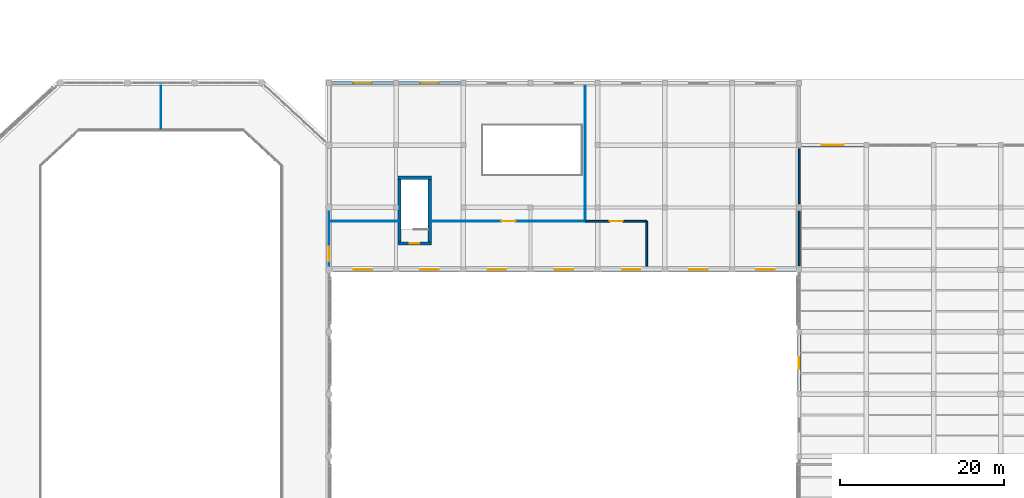
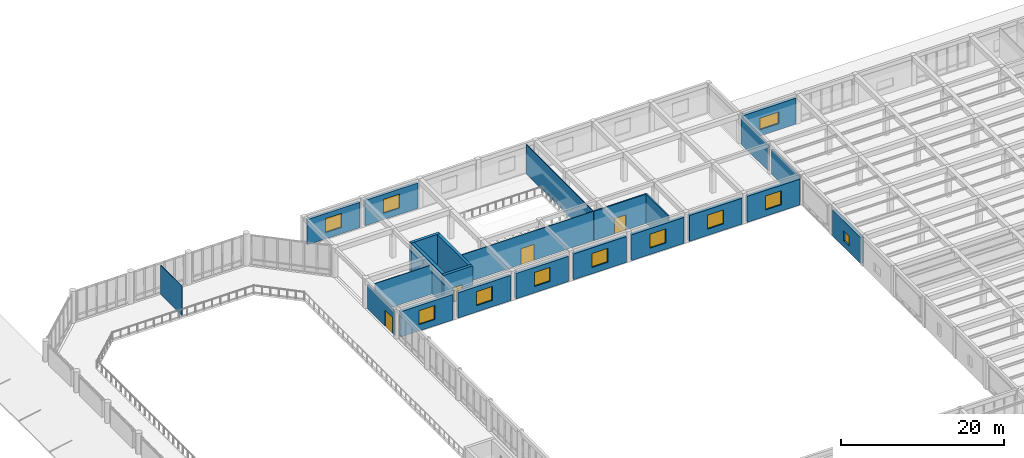
# One storey, part 39 of 57: 24 walls, 11 windows, 4 doors, 15 openings.
"""IFC4 building model written with IfcOpenShell, lengths in metres."""

import ifcopenshell
import ifcopenshell.guid

model = None  # the IFC model being written
_history = None  # IfcOwnerHistory: only IFC2X3 demands one
_inside = {}  # id of a spatial element -> (the spatial element, [elements in it])
_under = {}  # id of a project, library or spatial element -> (it, [spatial elements below it])
_declared = {}  # id of a project -> (the project, [libraries it declares])
_typed = {}  # id of a type object -> (the type object, [elements of that type])
_made_of = {}  # id of a material, layer set ... -> (it, [elements and type objects made of it])


def new_model(schema):
    """Start an empty IFC model of exactly this schema.

    Asked for "IFC4X3", IfcOpenShell would pick the latest addendum, in which some entities
    have other attributes; the version numbers below select the first issue.
    IFC2X3 requires an IfcOwnerHistory on every rooted entity: one is made here for all.
    """
    global model, _history
    if schema == "IFC4X3":
        model = ifcopenshell.file(schema_version=(4, 3, 0, 0))
    else:
        model = ifcopenshell.file(schema=schema)
    _inside.clear()
    _under.clear()
    _declared.clear()
    _typed.clear()
    _made_of.clear()
    _history = None
    if model.schema == "IFC2X3":
        org = make("IfcOrganization", Name="unknown")
        user = make(
            "IfcPersonAndOrganization",
            ThePerson=make("IfcPerson", FamilyName="unknown"),
            TheOrganization=org,
        )
        app = make(
            "IfcApplication",
            ApplicationDeveloper=org,
            Version="unknown",
            ApplicationFullName="unknown",
            ApplicationIdentifier="unknown",
        )
        _history = make(
            "IfcOwnerHistory",
            OwningUser=user,
            OwningApplication=app,
            ChangeAction="ADDED",
            CreationDate=0,
        )
    return model


def make(cls, **values):
    """One entity of the class cls with the attributes given. An attribute that is None is left unset."""
    return model.create_entity(
        cls, **{name: value for name, value in values.items() if value is not None}
    )


def rooted(cls, **values):
    """An entity with a GlobalId (a new one), such as an element, a storey or a relation."""
    return make(cls, GlobalId=ifcopenshell.guid.new(), OwnerHistory=_history, **values)


def si_unit(unit_type, name, prefix=None):
    """IfcSIUnit, for example si_unit("LENGTHUNIT", "METRE", prefix="MILLI")."""
    return make("IfcSIUnit", UnitType=unit_type, Prefix=prefix, Name=name)


def assignment(units):
    """IfcUnitAssignment: the units of a project."""
    return None if units is None else make("IfcUnitAssignment", Units=units)


def point(xyz):
    """IfcCartesianPoint."""
    return None if xyz is None else make("IfcCartesianPoint", Coordinates=xyz)


def direction(xyz):
    """IfcDirection."""
    return None if xyz is None else make("IfcDirection", DirectionRatios=xyz)


def frame(location, z_axis=None, x_axis=None):
    """IfcAxis2Placement3D, a coordinate frame: its origin and axes. An axis left out is left unset."""
    return make(
        "IfcAxis2Placement3D",
        Location=point(location),
        Axis=direction(z_axis),
        RefDirection=direction(x_axis),
    )


def frame_2d(location, x_axis=None):
    """IfcAxis2Placement2D, a coordinate frame in the plane: its origin and x axis."""
    return make(
        "IfcAxis2Placement2D", Location=point(location), RefDirection=direction(x_axis)
    )


def origin():
    """The frame at (0, 0, 0) with its axes left unset."""
    return frame((0.0, 0.0, 0.0))


def place(relative_to, where):
    """IfcLocalPlacement: puts the frame where relative to a parent placement (None: the world)."""
    return make(
        "IfcLocalPlacement", PlacementRelTo=relative_to, RelativePlacement=where
    )


def context(
    kind, dimensions, precision=None, world=None, true_north=None, identifier=None
):
    """IfcGeometricRepresentationContext, for example the 3D "Model" context."""
    return make(
        "IfcGeometricRepresentationContext",
        ContextIdentifier=identifier,
        ContextType=kind,
        CoordinateSpaceDimension=dimensions,
        Precision=precision,
        WorldCoordinateSystem=world,
        TrueNorth=true_north,
    )


def subcontext(parent, identifier, kind, view, scale=None):
    """IfcGeometricRepresentationSubContext, for example "Body" below "Model"."""
    return make(
        "IfcGeometricRepresentationSubContext",
        ContextIdentifier=identifier,
        ContextType=kind,
        ParentContext=parent,
        TargetScale=scale,
        TargetView=view,
    )


def project(units=None, contexts=None):
    """IfcProject with its units and contexts."""
    return rooted(
        "IfcProject",
        Name="project",
        RepresentationContexts=contexts,
        UnitsInContext=assignment(units),
    )


def spatial(cls, under=None, at=None, **own):
    """A site, building, storey or space (cls), placed at a placement, below another one or the project."""
    s = rooted(cls, ObjectPlacement=at, **own)
    if under is not None:
        _under.setdefault(under.id(), (under, []))[1].append(s)
    return s


def profile(cls, at=None, kind="AREA", **sizes):
    """A parametric profile (cls). Its sizes go by their IFC names, for example OverallWidth=200.0."""
    return make(cls, ProfileType=kind, Position=at, **sizes)


def rectangle(**sizes):
    """IfcRectangleProfileDef."""
    return profile("IfcRectangleProfileDef", **sizes)


def extrude(swept, where, along, depth):
    """IfcExtrudedAreaSolid: the profile swept, set in the frame where, extruded along a direction by depth."""
    return make(
        "IfcExtrudedAreaSolid",
        SweptArea=swept,
        Position=where,
        ExtrudedDirection=direction(along),
        Depth=depth,
    )


def shape(context_of_items, identifier, shape_type, items):
    """IfcShapeRepresentation: the items that make up one representation, for example the "Body"."""
    return make(
        "IfcShapeRepresentation",
        ContextOfItems=context_of_items,
        RepresentationIdentifier=identifier,
        RepresentationType=shape_type,
        Items=items,
    )


def material(Name=None, Category=None):
    """IfcMaterial."""
    return make("IfcMaterial", Name=Name, Category=Category)


def layer(
    of_material, thickness, ventilated=None, Name=None, Category=None, Priority=None
):
    """IfcMaterialLayer: one layer of a wall or slab, of a material (None: an air gap)."""
    return make(
        "IfcMaterialLayer",
        Material=of_material,
        LayerThickness=thickness,
        IsVentilated=ventilated,
        Name=Name,
        Category=Category,
        Priority=Priority,
    )


def layer_set(layers, Name=None):
    """IfcMaterialLayerSet."""
    return make("IfcMaterialLayerSet", MaterialLayers=layers, LayerSetName=Name)


def made_of(thing, what):
    """Note that an element or type object is made of a material, layer set ...; save() writes the relation."""
    if what is not None:
        _made_of.setdefault(what.id(), (what, []))[1].append(thing)
    return thing


def type_object(cls, material=None, **own):
    """A type object (cls), such as IfcWallType, which elements share."""
    return made_of(rooted(cls, **own), material)


def element(
    cls,
    number,
    at=None,
    inside=None,
    cuts=None,
    type_object=None,
    material=None,
    context=None,
    identifier="Body",
    shape_type=None,
    held_by="IfcProductDefinitionShape",
    body=None,
    shapes=None,
    **own,
):
    """One element of the class cls, such as IfcWall. Its Tag is "e" and its number.

    at: its placement. inside: the storey or other place that contains it. cuts: it is an
    opening in that element (IfcRelVoidsElement). A single representation is given by context,
    identifier, shape_type and body (its items); several are given by shapes. held_by: the class
    of the entity that holds the representations. save() writes the other relations.
    """
    e = rooted(cls, Tag="e%d" % number, ObjectPlacement=at, **own)
    if body is not None:
        shapes = [shape(context, identifier, shape_type, body)]
    if shapes is not None:
        e.Representation = make(held_by, Representations=shapes)
    if inside is not None:
        _inside.setdefault(inside.id(), (inside, []))[1].append(e)
    if cuts is not None:
        rooted(
            "IfcRelVoidsElement", RelatingBuildingElement=cuts, RelatedOpeningElement=e
        )
    if type_object is not None:
        _typed.setdefault(type_object.id(), (type_object, []))[1].append(e)
    return made_of(e, material)


def fill(opening, filler):
    """IfcRelFillsElement: the door or window that sits in an opening."""
    return rooted(
        "IfcRelFillsElement",
        RelatingOpeningElement=opening,
        RelatedBuildingElement=filler,
    )


def aggregate(whole, parts):
    """IfcRelAggregates: a whole, such as a stair, and the parts it consists of."""
    return rooted("IfcRelAggregates", RelatingObject=whole, RelatedObjects=parts)


def save(model, path):
    """Write the relations noted so far, then the file.

    IfcRelAggregates (storeys below a building ...), IfcRelContainedInSpatialStructure (elements
    in a storey), IfcRelDefinesByType, IfcRelAssociatesMaterial and IfcRelDeclares: one each for
    every whole, place, type object, material and project.
    """
    for whole, parts in _under.values():
        aggregate(whole, parts)
    for where, things in _inside.values():
        rooted(
            "IfcRelContainedInSpatialStructure",
            RelatedElements=things,
            RelatingStructure=where,
        )
    for kind, things in _typed.values():
        rooted("IfcRelDefinesByType", RelatedObjects=things, RelatingType=kind)
    for what, things in _made_of.values():
        rooted("IfcRelAssociatesMaterial", RelatedObjects=things, RelatingMaterial=what)
    for by, libraries in _declared.values():
        rooted("IfcRelDeclares", RelatingContext=by, RelatedDefinitions=libraries)
    model.write(path)


model = new_model("IFC4")

# Units and contexts
model_context = context("Model", 3, precision=1e-05, world=origin(), true_north=direction((0.0, 1.0)))
body_context = subcontext(model_context, "Body", "Model", "MODEL_VIEW")
ifc_project = project(units=[si_unit("LENGTHUNIT", "METRE"), si_unit("AREAUNIT", "SQUARE_METRE"), si_unit("VOLUMEUNIT", "CUBIC_METRE"), si_unit("PLANEANGLEUNIT", "RADIAN"), si_unit("MASSUNIT", "GRAM", prefix="KILO")], contexts=[model_context])

# Site, building, storey
site_placement = place(None, origin())
site = spatial("IfcSite", under=ifc_project, at=site_placement, CompositionType="ELEMENT")
building_placement = place(site_placement, origin())
building = spatial("IfcBuilding", under=site, at=building_placement, Name="Qandaris Square Conservatory and Botanical Centre", CompositionType="ELEMENT")
storey_placement = place(building_placement, frame((0.0, 0.0, 5.39990234375)))
storey = spatial("IfcBuildingStorey", under=building, at=storey_placement, Name="L01", CompositionType="ELEMENT", Elevation=5.39990234375)

# Wall, opening, window
ifc_material_1 = material(Name="Precast concrete C40/50", Category="concrete")
ifc_layer_1 = layer(ifc_material_1, 0.360107421875)
ifc_layer_set_1 = layer_set([ifc_layer_1], Name="Precast concrete C40/50")
wall_type_1 = type_object("IfcWallType", Name="Architectural Precast Cladding Wall 360mm", PredefinedType="SOLIDWALL", material=ifc_layer_set_1)
wall_1_placement = place(storey_placement, frame((73.239990234375, 115.39990234375, 0.0), z_axis=(0.0, 0.0, 1.0), x_axis=(-1.0, 0.0, 0.0)))
wall_1 = element("IfcWall", 1, at=wall_1_placement, inside=storey, type_object=wall_type_1, Name="Exterior Wall EW-V3B-L01-3-6", PredefinedType="SOLIDWALL", context=body_context, shape_type="SweptSolid", body=[
    extrude(rectangle(XDim=7.47998046875, YDim=0.360107421875, at=frame_2d((3.739990234375, 0.0))), origin(), (0.0, 0.0, 1.0), 3.80517578125),
])
opening_1_placement = place(wall_1_placement, frame((2.614990234375, 0.0, 0.949951171875)))
opening_1 = element("IfcOpeningElement", 2, at=opening_1_placement, cuts=wall_1, Name="Opening WN-12", PredefinedType="OPENING", context=body_context, shape_type="SweptSolid", body=[
    extrude(rectangle(XDim=2.25, YDim=2.10009765625, at=frame_2d((1.125, 1.050048828125))), frame((0.0, 0.19189453125, 0.0), z_axis=(0.0, -1.0, 0.0), x_axis=(1.0, 0.0, 0.0)), (0.0, 0.0, 1.0), 0.384033203125),
])
ifc_material_2 = material(Name="Tempered Low-E Glass", Category="glass")
window_type_1 = type_object("IfcWindowType", Name="Cafe Shaded Court Window 2250x2100", PartitioningType="DOUBLE_PANEL_VERTICAL", PredefinedType="WINDOW", material=ifc_material_2)
window_1_placement = place(opening_1_placement, origin())
window_1 = element("IfcWindow", 3, at=window_1_placement, inside=storey, type_object=window_type_1, Name="Window EW-V3B-L01-3-6", OverallHeight=2.10009765625, OverallWidth=2.25, PartitioningType="DOUBLE_PANEL_VERTICAL", PredefinedType="WINDOW", context=body_context, shape_type="SweptSolid", body=[
    extrude(rectangle(XDim=2.25, YDim=2.10009765625, at=frame_2d((1.125, 1.050048828125))), frame((0.0, 0.030029296875, 0.0), z_axis=(0.0, -1.0, 0.0), x_axis=(1.0, 0.0, 0.0)), (0.0, 0.0, 1.0), 0.06005859375),
])
fill(opening_1, window_1)

wall_2_placement = place(storey_placement, frame((65.0400390625, 115.39990234375, 0.0), z_axis=(0.0, 0.0, 1.0), x_axis=(-1.0, 0.0, 0.0)))
wall_2 = element("IfcWall", 4, at=wall_2_placement, inside=storey, type_object=wall_type_1, Name="Exterior Wall EW-V3B-L01-3-7", PredefinedType="SOLIDWALL", context=body_context, shape_type="SweptSolid", body=[
    extrude(rectangle(XDim=7.47998046875, YDim=0.360107421875, at=frame_2d((3.739990234375, 0.0))), origin(), (0.0, 0.0, 1.0), 3.80517578125),
])
opening_2_placement = place(wall_2_placement, frame((2.614990234375, 0.0, 0.949951171875)))
opening_2 = element("IfcOpeningElement", 5, at=opening_2_placement, cuts=wall_2, Name="Opening WN-12", PredefinedType="OPENING", context=body_context, shape_type="SweptSolid", body=[
    extrude(rectangle(XDim=2.25, YDim=2.10009765625, at=frame_2d((1.125, 1.050048828125))), frame((0.0, 0.19189453125, 0.0), z_axis=(0.0, -1.0, 0.0), x_axis=(1.0, 0.0, 0.0)), (0.0, 0.0, 1.0), 0.384033203125),
])
window_2_placement = place(opening_2_placement, origin())
window_2 = element("IfcWindow", 6, at=window_2_placement, inside=storey, type_object=window_type_1, Name="Window EW-V3B-L01-3-7", OverallHeight=2.10009765625, OverallWidth=2.25, PartitioningType="DOUBLE_PANEL_VERTICAL", PredefinedType="WINDOW", context=body_context, shape_type="SweptSolid", body=[
    extrude(rectangle(XDim=2.25, YDim=2.10009765625, at=frame_2d((1.125, 1.050048828125))), frame((0.0, 0.030029296875, 0.0), z_axis=(0.0, -1.0, 0.0), x_axis=(1.0, 0.0, 0.0)), (0.0, 0.0, 1.0), 0.06005859375),
])
fill(opening_2, window_2)

# Wall, opening, door
ifc_layer_2 = layer(ifc_material_2, 0.10009765625)
ifc_layer_set_2 = layer_set([ifc_layer_2], Name="Tempered Low-E Glass")
wall_type_2 = type_object("IfcWallType", Name="Framed Acoustic Glazed Gallery Screen 100mm", PredefinedType="PARTITIONING", material=ifc_layer_set_2)
wall_3_placement = place(storey_placement, frame((57.199951171875, 93.050048828125, 0.0), z_axis=(0.0, 0.0, 1.0), x_axis=(0.0, 1.0, 0.0)))
wall_3 = element("IfcWall", 7, at=wall_3_placement, inside=storey, type_object=wall_type_2, Name="Compartment Wall PW-V1V3B-L01", PredefinedType="PARTITIONING", context=body_context, shape_type="SweptSolid", body=[
    extrude(rectangle(XDim=6.699951171875, YDim=0.10009765625, at=frame_2d((3.35009765625, 0.0))), origin(), (0.0, 0.0, 1.0), 3.655029296875),
])
opening_3_placement = place(wall_3_placement, frame((0.550048828125, 0.0, 0.0)))
opening_3 = element("IfcOpeningElement", 8, at=opening_3_placement, cuts=wall_3, Name="Opening D-GL1", PredefinedType="OPENING", context=body_context, shape_type="SweptSolid", body=[
    extrude(rectangle(XDim=1.800048828125, YDim=2.39990234375, at=frame_2d((0.89990234375, 1.199951171875))), frame((0.0, 0.06201171875, 0.0), z_axis=(0.0, -1.0, 0.0), x_axis=(1.0, 0.0, 0.0)), (0.0, 0.0, 1.0), 0.1240234375),
])
ifc_material_3 = material(Name="Anodised Aluminium", Category="aluminium")
door_type_1 = type_object("IfcDoorType", Name="Visitor Gallery Glazed Double Door 1800x2400", OperationType="DOUBLE_DOOR_SINGLE_SWING", PredefinedType="DOOR", material=ifc_material_3)
door_1_placement = place(opening_3_placement, origin())
door_1 = element("IfcDoor", 9, at=door_1_placement, inside=storey, type_object=door_type_1, Name="DR-0103 Inter-Volume Connecting Door PVD-L01-V1V3B", OperationType="DOUBLE_DOOR_SINGLE_SWING", OverallHeight=2.39990234375, OverallWidth=1.800048828125, PredefinedType="DOOR", context=body_context, shape_type="SweptSolid", body=[
    extrude(rectangle(XDim=1.800048828125, YDim=2.39990234375, at=frame_2d((0.89990234375, 1.199951171875))), frame((0.0, 0.02490234375, 0.0), z_axis=(0.0, -1.0, 0.0), x_axis=(1.0, 0.0, 0.0)), (0.0, 0.0, 1.0), 0.050048828125),
])
fill(opening_3, door_1)

# Walls
wall_4_placement = place(storey_placement, frame((36.699951171875, 109.800048828125, 0.0), z_axis=(0.0, 0.0, 1.0), x_axis=(0.0, 1.0, 0.0)))
element("IfcWall", 10, at=wall_4_placement, inside=storey, type_object=wall_type_2, Name="Interior Partition IW-L01-0124", PredefinedType="PARTITIONING", context=body_context, shape_type="SweptSolid", body=[
    extrude(rectangle(XDim=5.25, YDim=0.10009765625, at=frame_2d((2.625, 0.0))), origin(), (0.0, 0.0, 1.0), 4.405029296875),
])
wall_5_placement = place(storey_placement, frame((57.5, 98.5, 0.0), z_axis=(0.0, 0.0, 1.0), x_axis=(1.0, 0.0, 0.0)))
element("IfcWall", 11, at=wall_5_placement, inside=storey, type_object=wall_type_2, Name="Interior Partition IW-L01-0132", PredefinedType="PARTITIONING", context=body_context, shape_type="SweptSolid", body=[
    extrude(rectangle(XDim=8.070068359375, YDim=0.10009765625, at=frame_2d((4.03515625, 0.0))), origin(), (0.0, 0.0, 1.0), 4.405029296875),
])

# Wall, opening, door
wall_6_placement = place(storey_placement, frame((69.72998046875, 98.5, 0.0), z_axis=(0.0, 0.0, 1.0), x_axis=(1.0, 0.0, 0.0)))
wall_6 = element("IfcWall", 12, at=wall_6_placement, inside=storey, type_object=wall_type_2, Name="Interior Partition IW-L01-0133", PredefinedType="PARTITIONING", context=body_context, shape_type="SweptSolid", body=[
    extrude(rectangle(XDim=18.77001953125, YDim=0.10009765625, at=frame_2d((9.385009765625, 0.0))), origin(), (0.0, 0.0, 1.0), 4.405029296875),
])
opening_4_placement = place(wall_6_placement, frame((8.485107421875, 0.0, 0.0)))
opening_4 = element("IfcOpeningElement", 13, at=opening_4_placement, cuts=wall_6, Name="Opening D-GL1", PredefinedType="OPENING", context=body_context, shape_type="SweptSolid", body=[
    extrude(rectangle(XDim=1.800048828125, YDim=2.39990234375, at=frame_2d((0.89990234375, 1.199951171875))), frame((0.0, 0.06201171875, 0.0), z_axis=(0.0, -1.0, 0.0), x_axis=(1.0, 0.0, 0.0)), (0.0, 0.0, 1.0), 0.1240234375),
])
door_2_placement = place(opening_4_placement, frame((1.800048828125, 0.0, 0.0), z_axis=(0.0, 0.0, 1.0), x_axis=(-1.0, 0.0, 0.0)))
door_2 = element("IfcDoor", 14, at=door_2_placement, inside=storey, type_object=door_type_1, Name="DR-0102 Qatar Ethnobotany Permanent Exhibition Door", OperationType="DOUBLE_DOOR_SINGLE_SWING", OverallHeight=2.39990234375, OverallWidth=1.800048828125, PredefinedType="DOOR", context=body_context, shape_type="SweptSolid", body=[
    extrude(rectangle(XDim=1.800048828125, YDim=2.39990234375, at=frame_2d((0.89990234375, 1.199951171875))), frame((0.0, 0.02490234375, 0.0), z_axis=(0.0, -1.0, 0.0), x_axis=(1.0, 0.0, 0.0)), (0.0, 0.0, 1.0), 0.050048828125),
])
fill(opening_4, door_2)

# Walls
wall_7_placement = place(storey_placement, frame((88.5, 115.0, 0.0), z_axis=(0.0, 0.0, 1.0), x_axis=(0.0, -1.0, 0.0)))
element("IfcWall", 15, at=wall_7_placement, inside=storey, type_object=wall_type_2, Name="Interior Partition IW-L01-0136", PredefinedType="PARTITIONING", context=body_context, shape_type="SweptSolid", body=[
    extrude(rectangle(XDim=16.5, YDim=0.10009765625, at=frame_2d((8.25, 0.0))), origin(), (0.0, 0.0, 1.0), 4.405029296875),
])
ifc_material_4 = material(Name="Concrete C40/50", Category="concrete")
ifc_layer_3 = layer(ifc_material_4, 0.199951171875)
ifc_layer_set_3 = layer_set([ifc_layer_3], Name="Concrete C40/50")
wall_type_3 = type_object("IfcWallType", Name="Herbarium & Plant Compartment Wall 200mm", PredefinedType="PARTITIONING", material=ifc_layer_set_3)
wall_8_placement = place(storey_placement, frame((114.60009765625, 93.050048828125, 0.0), z_axis=(0.0, 0.0, 1.0), x_axis=(0.0, 1.0, 0.0)))
element("IfcWall", 16, at=wall_8_placement, inside=storey, type_object=wall_type_3, Name="Compartment Wall PW-V3BV4-L01-1", PredefinedType="PARTITIONING", context=body_context, shape_type="SweptSolid", body=[
    extrude(rectangle(XDim=6.699951171875, YDim=0.199951171875, at=frame_2d((3.35009765625, 0.0))), origin(), (0.0, 0.0, 1.0), 3.820068359375),
])
wall_9_placement = place(storey_placement, frame((114.60009765625, 100.64990234375, 0.0), z_axis=(0.0, 0.0, 1.0), x_axis=(0.0, 1.0, 0.0)))
element("IfcWall", 17, at=wall_9_placement, inside=storey, type_object=wall_type_3, Name="Compartment Wall PW-V3BV4-L01-2", PredefinedType="PARTITIONING", context=body_context, shape_type="SweptSolid", body=[
    extrude(rectangle(XDim=6.7001953125, YDim=0.199951171875, at=frame_2d((3.35009765625, 0.0))), origin(), (0.0, 0.0, 1.0), 3.80517578125),
])
wall_10_placement = place(storey_placement, frame((96.0, 98.5, 0.0), z_axis=(0.0, 0.0, 1.0), x_axis=(0.0, -1.0, 0.0)))
element("IfcWall", 18, at=wall_10_placement, inside=storey, type_object=wall_type_3, Name="Interior Partition IW-L01-0134", PredefinedType="PARTITIONING", context=body_context, shape_type="SweptSolid", body=[
    extrude(rectangle(XDim=5.5, YDim=0.199951171875, at=frame_2d((2.75, 0.0))), origin(), (0.0, 0.0, 1.0), 4.405029296875),
])

# Wall, opening, door
wall_11_placement = place(storey_placement, frame((88.5, 98.5, 0.0), z_axis=(0.0, 0.0, 1.0), x_axis=(1.0, 0.0, 0.0)))
wall_11 = element("IfcWall", 19, at=wall_11_placement, inside=storey, type_object=wall_type_3, Name="Interior Partition IW-L01-0135", PredefinedType="PARTITIONING", context=body_context, shape_type="SweptSolid", body=[
    extrude(rectangle(XDim=7.5, YDim=0.199951171875, at=frame_2d((3.75, 0.0))), origin(), (0.0, 0.0, 1.0), 4.405029296875),
])
opening_5_placement = place(wall_11_placement, frame((2.949951171875, 0.0, 0.0)))
opening_5 = element("IfcOpeningElement", 20, at=opening_5_placement, cuts=wall_11, Name="Opening D-HRB1", PredefinedType="OPENING", context=body_context, shape_type="SweptSolid", body=[
    extrude(rectangle(XDim=1.60009765625, YDim=2.300048828125, at=frame_2d((0.800048828125, 1.14990234375))), frame((0.0, 0.11181640625, 0.0), z_axis=(0.0, -1.0, 0.0), x_axis=(1.0, 0.0, 0.0)), (0.0, 0.0, 1.0), 0.223876953125),
])
ifc_material_5 = material(Name="Steel S355", Category="steel")
door_type_2 = type_object("IfcDoorType", Name="Herbarium Sealable Specimen Double Door 1600x2300", OperationType="DOUBLE_DOOR_SINGLE_SWING", PredefinedType="DOOR", material=ifc_material_5)
door_3_placement = place(opening_5_placement, origin())
door_3 = element("IfcDoor", 21, at=door_3_placement, inside=storey, type_object=door_type_2, Name="DR-0107 Herbarium Conservation Demonstration Gallery Door", OperationType="DOUBLE_DOOR_SINGLE_SWING", OverallHeight=2.300048828125, OverallWidth=1.60009765625, PredefinedType="DOOR", context=body_context, shape_type="SweptSolid", body=[
    extrude(rectangle(XDim=1.60009765625, YDim=2.300048828125, at=frame_2d((0.800048828125, 1.14990234375))), frame((0.0, 0.02490234375, 0.0), z_axis=(0.0, -1.0, 0.0), x_axis=(1.0, 0.0, 0.0)), (0.0, 0.0, 1.0), 0.050048828125),
])
fill(opening_5, door_3)

# Wall, opening, window
ifc_layer_4 = layer(ifc_material_4, 0.419921875)
ifc_layer_set_4 = layer_set([ifc_layer_4], Name="Concrete C40/50")
wall_type_4 = type_object("IfcWallType", Name="Insulated Qatari Limestone Cavity Wall 420mm", PredefinedType="SOLIDWALL", material=ifc_layer_set_4)
wall_12_placement = place(storey_placement, frame((57.659912109375, 92.60009765625, 0.0), z_axis=(0.0, 0.0, 1.0), x_axis=(1.0, 0.0, 0.0)))
wall_12 = element("IfcWall", 22, at=wall_12_placement, inside=storey, type_object=wall_type_4, Name="Exterior Wall EW-V3B-L01-1-1", PredefinedType="SOLIDWALL", context=body_context, shape_type="SweptSolid", body=[
    extrude(rectangle(XDim=7.380126953125, YDim=0.419921875, at=frame_2d((3.68994140625, 0.0))), origin(), (0.0, 0.0, 1.0), 3.80517578125),
])
opening_6_placement = place(wall_12_placement, frame((2.56494140625, 0.0, 0.949951171875)))
opening_6 = element("IfcOpeningElement", 23, at=opening_6_placement, cuts=wall_12, Name="Opening WN-12", PredefinedType="OPENING", context=body_context, shape_type="SweptSolid", body=[
    extrude(rectangle(XDim=2.25, YDim=2.10009765625, at=frame_2d((1.125, 1.050048828125))), frame((0.0, 0.221923828125, 0.0), z_axis=(0.0, -1.0, 0.0), x_axis=(1.0, 0.0, 0.0)), (0.0, 0.0, 1.0), 0.44384765625),
])
window_3_placement = place(opening_6_placement, origin())
window_3 = element("IfcWindow", 24, at=window_3_placement, inside=storey, type_object=window_type_1, Name="Window EW-V3B-L01-1-1", OverallHeight=2.10009765625, OverallWidth=2.25, PartitioningType="DOUBLE_PANEL_VERTICAL", PredefinedType="WINDOW", context=body_context, shape_type="SweptSolid", body=[
    extrude(rectangle(XDim=2.25, YDim=2.10009765625, at=frame_2d((1.125, 1.050048828125))), frame((0.0, 0.030029296875, 0.0), z_axis=(0.0, -1.0, 0.0), x_axis=(1.0, 0.0, 0.0)), (0.0, 0.0, 1.0), 0.06005859375),
])
fill(opening_6, window_3)

wall_13_placement = place(storey_placement, frame((65.760009765625, 92.60009765625, 0.0), z_axis=(0.0, 0.0, 1.0), x_axis=(1.0, 0.0, 0.0)))
wall_13 = element("IfcWall", 25, at=wall_13_placement, inside=storey, type_object=wall_type_4, Name="Exterior Wall EW-V3B-L01-1-2", PredefinedType="SOLIDWALL", context=body_context, shape_type="SweptSolid", body=[
    extrude(rectangle(XDim=7.47998046875, YDim=0.419921875, at=frame_2d((3.739990234375, 0.0))), origin(), (0.0, 0.0, 1.0), 3.80517578125),
])
opening_7_placement = place(wall_13_placement, frame((2.614990234375, 0.0, 0.949951171875)))
opening_7 = element("IfcOpeningElement", 26, at=opening_7_placement, cuts=wall_13, Name="Opening WN-12", PredefinedType="OPENING", context=body_context, shape_type="SweptSolid", body=[
    extrude(rectangle(XDim=2.25, YDim=2.10009765625, at=frame_2d((1.125, 1.050048828125))), frame((0.0, 0.221923828125, 0.0), z_axis=(0.0, -1.0, 0.0), x_axis=(1.0, 0.0, 0.0)), (0.0, 0.0, 1.0), 0.44384765625),
])
window_4_placement = place(opening_7_placement, origin())
window_4 = element("IfcWindow", 27, at=window_4_placement, inside=storey, type_object=window_type_1, Name="Window EW-V3B-L01-1-2", OverallHeight=2.10009765625, OverallWidth=2.25, PartitioningType="DOUBLE_PANEL_VERTICAL", PredefinedType="WINDOW", context=body_context, shape_type="SweptSolid", body=[
    extrude(rectangle(XDim=2.25, YDim=2.10009765625, at=frame_2d((1.125, 1.050048828125))), frame((0.0, 0.030029296875, 0.0), z_axis=(0.0, -1.0, 0.0), x_axis=(1.0, 0.0, 0.0)), (0.0, 0.0, 1.0), 0.06005859375),
])
fill(opening_7, window_4)

wall_14_placement = place(storey_placement, frame((73.9599609375, 92.60009765625, 0.0), z_axis=(0.0, 0.0, 1.0), x_axis=(1.0, 0.0, 0.0)))
wall_14 = element("IfcWall", 28, at=wall_14_placement, inside=storey, type_object=wall_type_4, Name="Exterior Wall EW-V3B-L01-1-3", PredefinedType="SOLIDWALL", context=body_context, shape_type="SweptSolid", body=[
    extrude(rectangle(XDim=7.47998046875, YDim=0.419921875, at=frame_2d((3.739990234375, 0.0))), origin(), (0.0, 0.0, 1.0), 3.80517578125),
])
opening_8_placement = place(wall_14_placement, frame((2.614990234375, 0.0, 0.949951171875)))
opening_8 = element("IfcOpeningElement", 29, at=opening_8_placement, cuts=wall_14, Name="Opening WN-12", PredefinedType="OPENING", context=body_context, shape_type="SweptSolid", body=[
    extrude(rectangle(XDim=2.25, YDim=2.10009765625, at=frame_2d((1.125, 1.050048828125))), frame((0.0, 0.221923828125, 0.0), z_axis=(0.0, -1.0, 0.0), x_axis=(1.0, 0.0, 0.0)), (0.0, 0.0, 1.0), 0.44384765625),
])
window_5_placement = place(opening_8_placement, origin())
window_5 = element("IfcWindow", 30, at=window_5_placement, inside=storey, type_object=window_type_1, Name="Window EW-V3B-L01-1-3", OverallHeight=2.10009765625, OverallWidth=2.25, PartitioningType="DOUBLE_PANEL_VERTICAL", PredefinedType="WINDOW", context=body_context, shape_type="SweptSolid", body=[
    extrude(rectangle(XDim=2.25, YDim=2.10009765625, at=frame_2d((1.125, 1.050048828125))), frame((0.0, 0.030029296875, 0.0), z_axis=(0.0, -1.0, 0.0), x_axis=(1.0, 0.0, 0.0)), (0.0, 0.0, 1.0), 0.06005859375),
])
fill(opening_8, window_5)

wall_15_placement = place(storey_placement, frame((82.159912109375, 92.60009765625, 0.0), z_axis=(0.0, 0.0, 1.0), x_axis=(1.0, 0.0, 0.0)))
wall_15 = element("IfcWall", 31, at=wall_15_placement, inside=storey, type_object=wall_type_4, Name="Exterior Wall EW-V3B-L01-1-4", PredefinedType="SOLIDWALL", context=body_context, shape_type="SweptSolid", body=[
    extrude(rectangle(XDim=7.47998046875, YDim=0.419921875, at=frame_2d((3.739990234375, 0.0))), origin(), (0.0, 0.0, 1.0), 3.885009765625),
])
opening_9_placement = place(wall_15_placement, frame((2.614990234375, 0.0, 0.949951171875)))
opening_9 = element("IfcOpeningElement", 32, at=opening_9_placement, cuts=wall_15, Name="Opening WN-12", PredefinedType="OPENING", context=body_context, shape_type="SweptSolid", body=[
    extrude(rectangle(XDim=2.25, YDim=2.10009765625, at=frame_2d((1.125, 1.050048828125))), frame((0.0, 0.221923828125, 0.0), z_axis=(0.0, -1.0, 0.0), x_axis=(1.0, 0.0, 0.0)), (0.0, 0.0, 1.0), 0.44384765625),
])
window_6_placement = place(opening_9_placement, origin())
window_6 = element("IfcWindow", 33, at=window_6_placement, inside=storey, type_object=window_type_1, Name="Window EW-V3B-L01-1-4", OverallHeight=2.10009765625, OverallWidth=2.25, PartitioningType="DOUBLE_PANEL_VERTICAL", PredefinedType="WINDOW", context=body_context, shape_type="SweptSolid", body=[
    extrude(rectangle(XDim=2.25, YDim=2.10009765625, at=frame_2d((1.125, 1.050048828125))), frame((0.0, 0.030029296875, 0.0), z_axis=(0.0, -1.0, 0.0), x_axis=(1.0, 0.0, 0.0)), (0.0, 0.0, 1.0), 0.06005859375),
])
fill(opening_9, window_6)

wall_16_placement = place(storey_placement, frame((90.360107421875, 92.60009765625, 0.0), z_axis=(0.0, 0.0, 1.0), x_axis=(1.0, 0.0, 0.0)))
wall_16 = element("IfcWall", 34, at=wall_16_placement, inside=storey, type_object=wall_type_4, Name="Exterior Wall EW-V3B-L01-1-5", PredefinedType="SOLIDWALL", context=body_context, shape_type="SweptSolid", body=[
    extrude(rectangle(XDim=7.47998046875, YDim=0.419921875, at=frame_2d((3.739990234375, 0.0))), origin(), (0.0, 0.0, 1.0), 3.885009765625),
])
opening_10_placement = place(wall_16_placement, frame((2.614990234375, 0.0, 0.949951171875)))
opening_10 = element("IfcOpeningElement", 35, at=opening_10_placement, cuts=wall_16, Name="Opening WN-12", PredefinedType="OPENING", context=body_context, shape_type="SweptSolid", body=[
    extrude(rectangle(XDim=2.25, YDim=2.10009765625, at=frame_2d((1.125, 1.050048828125))), frame((0.0, 0.221923828125, 0.0), z_axis=(0.0, -1.0, 0.0), x_axis=(1.0, 0.0, 0.0)), (0.0, 0.0, 1.0), 0.44384765625),
])
window_7_placement = place(opening_10_placement, origin())
window_7 = element("IfcWindow", 36, at=window_7_placement, inside=storey, type_object=window_type_1, Name="Window EW-V3B-L01-1-5", OverallHeight=2.10009765625, OverallWidth=2.25, PartitioningType="DOUBLE_PANEL_VERTICAL", PredefinedType="WINDOW", context=body_context, shape_type="SweptSolid", body=[
    extrude(rectangle(XDim=2.25, YDim=2.10009765625, at=frame_2d((1.125, 1.050048828125))), frame((0.0, 0.030029296875, 0.0), z_axis=(0.0, -1.0, 0.0), x_axis=(1.0, 0.0, 0.0)), (0.0, 0.0, 1.0), 0.06005859375),
])
fill(opening_10, window_7)

wall_17_placement = place(storey_placement, frame((98.56005859375, 92.60009765625, 0.0), z_axis=(0.0, 0.0, 1.0), x_axis=(1.0, 0.0, 0.0)))
wall_17 = element("IfcWall", 37, at=wall_17_placement, inside=storey, type_object=wall_type_4, Name="Exterior Wall EW-V3B-L01-1-6", PredefinedType="SOLIDWALL", context=body_context, shape_type="SweptSolid", body=[
    extrude(rectangle(XDim=7.47998046875, YDim=0.419921875, at=frame_2d((3.739990234375, 0.0))), origin(), (0.0, 0.0, 1.0), 3.885009765625),
])
opening_11_placement = place(wall_17_placement, frame((2.614990234375, 0.0, 0.949951171875)))
opening_11 = element("IfcOpeningElement", 38, at=opening_11_placement, cuts=wall_17, Name="Opening WN-12", PredefinedType="OPENING", context=body_context, shape_type="SweptSolid", body=[
    extrude(rectangle(XDim=2.25, YDim=2.10009765625, at=frame_2d((1.125, 1.050048828125))), frame((0.0, 0.221923828125, 0.0), z_axis=(0.0, -1.0, 0.0), x_axis=(1.0, 0.0, 0.0)), (0.0, 0.0, 1.0), 0.44384765625),
])
window_8_placement = place(opening_11_placement, origin())
window_8 = element("IfcWindow", 39, at=window_8_placement, inside=storey, type_object=window_type_1, Name="Window EW-V3B-L01-1-6", OverallHeight=2.10009765625, OverallWidth=2.25, PartitioningType="DOUBLE_PANEL_VERTICAL", PredefinedType="WINDOW", context=body_context, shape_type="SweptSolid", body=[
    extrude(rectangle(XDim=2.25, YDim=2.10009765625, at=frame_2d((1.125, 1.050048828125))), frame((0.0, 0.030029296875, 0.0), z_axis=(0.0, -1.0, 0.0), x_axis=(1.0, 0.0, 0.0)), (0.0, 0.0, 1.0), 0.06005859375),
])
fill(opening_11, window_8)

wall_18_placement = place(storey_placement, frame((106.760009765625, 92.60009765625, 0.0), z_axis=(0.0, 0.0, 1.0), x_axis=(1.0, 0.0, 0.0)))
wall_18 = element("IfcWall", 40, at=wall_18_placement, inside=storey, type_object=wall_type_4, Name="Exterior Wall EW-V3B-L01-1-7", PredefinedType="SOLIDWALL", context=body_context, shape_type="SweptSolid", body=[
    extrude(rectangle(XDim=7.47998046875, YDim=0.419921875, at=frame_2d((3.739990234375, 0.0))), origin(), (0.0, 0.0, 1.0), 3.885009765625),
])
opening_12_placement = place(wall_18_placement, frame((2.614990234375, 0.0, 0.949951171875)))
opening_12 = element("IfcOpeningElement", 41, at=opening_12_placement, cuts=wall_18, Name="Opening WN-12", PredefinedType="OPENING", context=body_context, shape_type="SweptSolid", body=[
    extrude(rectangle(XDim=2.25, YDim=2.10009765625, at=frame_2d((1.125, 1.050048828125))), frame((0.0, 0.221923828125, 0.0), z_axis=(0.0, -1.0, 0.0), x_axis=(1.0, 0.0, 0.0)), (0.0, 0.0, 1.0), 0.44384765625),
])
window_9_placement = place(opening_12_placement, origin())
window_9 = element("IfcWindow", 42, at=window_9_placement, inside=storey, type_object=window_type_1, Name="Window EW-V3B-L01-1-7", OverallHeight=2.10009765625, OverallWidth=2.25, PartitioningType="DOUBLE_PANEL_VERTICAL", PredefinedType="WINDOW", context=body_context, shape_type="SweptSolid", body=[
    extrude(rectangle(XDim=2.25, YDim=2.10009765625, at=frame_2d((1.125, 1.050048828125))), frame((0.0, 0.030029296875, 0.0), z_axis=(0.0, -1.0, 0.0), x_axis=(1.0, 0.0, 0.0)), (0.0, 0.0, 1.0), 0.06005859375),
])
fill(opening_12, window_9)

wall_19_placement = place(storey_placement, frame((122.43994140625, 107.800048828125, 0.0), z_axis=(0.0, 0.0, 1.0), x_axis=(-1.0, 0.0, 0.0)))
wall_19 = element("IfcWall", 43, at=wall_19_placement, inside=storey, type_object=wall_type_4, Name="Exterior Wall EW-TWR-L01-3-6", PredefinedType="SOLIDWALL", context=body_context, shape_type="SweptSolid", body=[
    extrude(rectangle(XDim=7.47998046875, YDim=0.419921875, at=frame_2d((3.739990234375, 0.0))), origin(), (0.0, 0.0, 1.0), 3.93017578125),
])
opening_13_placement = place(wall_19_placement, frame((2.4150390625, 0.0, 0.949951171875)))
opening_13 = element("IfcOpeningElement", 44, at=opening_13_placement, cuts=wall_19, Name="Opening WN-43", PredefinedType="OPENING", context=body_context, shape_type="SweptSolid", body=[
    extrude(rectangle(XDim=2.64990234375, YDim=1.75, at=frame_2d((1.324951171875, 0.875))), frame((0.0, 0.221923828125, 0.0), z_axis=(0.0, -1.0, 0.0), x_axis=(1.0, 0.0, 0.0)), (0.0, 0.0, 1.0), 0.44384765625),
])
window_type_2 = type_object("IfcWindowType", Name="Solar Control Window 2650x1750", PartitioningType="DOUBLE_PANEL_VERTICAL", PredefinedType="WINDOW", material=ifc_material_2)
window_10_placement = place(opening_13_placement, origin())
window_10 = element("IfcWindow", 45, at=window_10_placement, inside=storey, type_object=window_type_2, Name="Window EW-TWR-L01-3-6", OverallHeight=1.75, OverallWidth=2.64990234375, PartitioningType="DOUBLE_PANEL_VERTICAL", PredefinedType="WINDOW", context=body_context, shape_type="SweptSolid", body=[
    extrude(rectangle(XDim=2.64990234375, YDim=1.75, at=frame_2d((1.324951171875, 0.875))), frame((0.0, 0.030029296875, 0.0), z_axis=(0.0, -1.0, 0.0), x_axis=(1.0, 0.0, 0.0)), (0.0, 0.0, 1.0), 0.06005859375),
])
fill(opening_13, window_10)

wall_20_placement = place(storey_placement, frame((114.60009765625, 84.639892578125, 0.0), z_axis=(0.0, 0.0, 1.0), x_axis=(0.0, -1.0, 0.0)))
wall_20 = element("IfcWall", 46, at=wall_20_placement, inside=storey, type_object=wall_type_4, Name="Exterior Wall EW-TWR-L01-4-4", PredefinedType="SOLIDWALL", context=body_context, shape_type="SweptSolid", body=[
    extrude(rectangle(XDim=6.8798828125, YDim=0.419921875, at=frame_2d((3.43994140625, 0.0))), origin(), (0.0, 0.0, 1.0), 3.905029296875),
])
opening_14_placement = place(wall_20_placement, frame((2.764892578125, 0.0, 0.949951171875)))
opening_14 = element("IfcOpeningElement", 47, at=opening_14_placement, cuts=wall_20, Name="Opening WN-22", PredefinedType="OPENING", context=body_context, shape_type="SweptSolid", body=[
    extrude(rectangle(XDim=1.35009765625, YDim=1.5, at=frame_2d((0.675048828125, 0.75))), frame((0.0, 0.221923828125, 0.0), z_axis=(0.0, -1.0, 0.0), x_axis=(1.0, 0.0, 0.0)), (0.0, 0.0, 1.0), 0.44384765625),
])
window_type_3 = type_object("IfcWindowType", Name="Solar Control Window 1350x1500", PartitioningType="SINGLE_PANEL", PredefinedType="WINDOW", material=ifc_material_2)
window_11_placement = place(opening_14_placement, origin())
window_11 = element("IfcWindow", 48, at=window_11_placement, inside=storey, type_object=window_type_3, Name="Window EW-TWR-L01-4-4", OverallHeight=1.5, OverallWidth=1.35009765625, PartitioningType="SINGLE_PANEL", PredefinedType="WINDOW", context=body_context, shape_type="SweptSolid", body=[
    extrude(rectangle(XDim=1.35009765625, YDim=1.5, at=frame_2d((0.675048828125, 0.75))), frame((0.0, 0.030029296875, 0.0), z_axis=(0.0, -1.0, 0.0), x_axis=(1.0, 0.0, 0.0)), (0.0, 0.0, 1.0), 0.06005859375),
])
fill(opening_14, window_11)

# Wall, opening, door
ifc_material_6 = material(Name="Concrete C50/60", Category="concrete")
ifc_layer_5 = layer(ifc_material_6, 0.39990234375)
ifc_layer_set_5 = layer_set([ifc_layer_5], Name="Concrete C50/60")
wall_type_5 = type_object("IfcWallType", Name="RC Stair Core Shear Wall 400mm", PredefinedType="SHEAR", material=ifc_layer_set_5)
wall_21_placement = place(storey_placement, frame((65.60009765625, 95.800048828125, 0.0), z_axis=(0.0, 0.0, 1.0), x_axis=(1.0, 0.0, 0.0)))
wall_21 = element("IfcWall", 49, at=wall_21_placement, inside=storey, type_object=wall_type_5, Name="ST-6 Core Shear Wall South (L01)", PredefinedType="SHEAR", context=body_context, shape_type="SweptSolid", body=[
    extrude(rectangle(XDim=4.099853515625, YDim=0.39990234375, at=frame_2d((2.0498046875, 0.0))), origin(), (0.0, 0.0, 1.0), 4.52001953125),
])
opening_15_placement = place(wall_21_placement, frame((1.449951171875, 0.0, 0.0)))
opening_15 = element("IfcOpeningElement", 50, at=opening_15_placement, cuts=wall_21, Name="Opening D-ST1", PredefinedType="OPENING", context=body_context, shape_type="SweptSolid", body=[
    extrude(rectangle(XDim=1.199951171875, YDim=2.199951171875, at=frame_2d((0.60009765625, 1.10009765625))), frame((0.0, 0.2119140625, 0.0), z_axis=(0.0, -1.0, 0.0), x_axis=(1.0, 0.0, 0.0)), (0.0, 0.0, 1.0), 0.423828125),
])
door_type_3 = type_object("IfcDoorType", Name="Exit Stair Core Fire Door 1200x2200", OperationType="NOTDEFINED", PredefinedType="DOOR", material=ifc_material_5)
door_4_placement = place(opening_15_placement, origin())
door_4 = element("IfcDoor", 51, at=door_4_placement, inside=storey, type_object=door_type_3, Name="DR-0115 ST-6 Stair Core Door (L01)", OperationType="SINGLE_SWING_LEFT", OverallHeight=2.199951171875, OverallWidth=1.199951171875, PredefinedType="DOOR", context=body_context, shape_type="SweptSolid", body=[
    extrude(rectangle(XDim=1.199951171875, YDim=2.199951171875, at=frame_2d((0.60009765625, 1.10009765625))), frame((0.0, 0.02490234375, 0.0), z_axis=(0.0, -1.0, 0.0), x_axis=(1.0, 0.0, 0.0)), (0.0, 0.0, 1.0), 0.050048828125),
])
fill(opening_15, door_4)

# Walls
wall_22_placement = place(storey_placement, frame((65.60009765625, 103.800048828125, 0.0), z_axis=(0.0, 0.0, 1.0), x_axis=(1.0, 0.0, 0.0)))
element("IfcWall", 52, at=wall_22_placement, inside=storey, type_object=wall_type_5, Name="ST-6 Core Shear Wall North (L01)", PredefinedType="SHEAR", context=body_context, shape_type="SweptSolid", body=[
    extrude(rectangle(XDim=4.099853515625, YDim=0.39990234375, at=frame_2d((2.0498046875, 0.0))), origin(), (0.0, 0.0, 1.0), 4.52001953125),
])
for number, where, z_axis, x_axis, name in (
    (53, (65.800048828125, 96.0, 0.0), (0.0, 0.0, 1.0), (0.0, 1.0, 0.0), "ST-6 Core Shear Wall West (L01)"),
    (54, (69.5, 96.0, 0.0), (0.0, 0.0, 1.0), (0.0, 1.0, 0.0), "ST-6 Core Shear Wall East (L01)"),
):
    element("IfcWall", number, at=place(storey_placement, frame(where, z_axis=z_axis, x_axis=x_axis)), inside=storey, type_object=wall_type_5, Name=name, PredefinedType="SHEAR", context=body_context, shape_type="SweptSolid", body=[
        extrude(rectangle(XDim=7.60009765625, YDim=0.39990234375, at=frame_2d((3.800048828125, 0.0))), origin(), (0.0, 0.0, 1.0), 4.52001953125),
    ])

save(model, "model.ifc")
